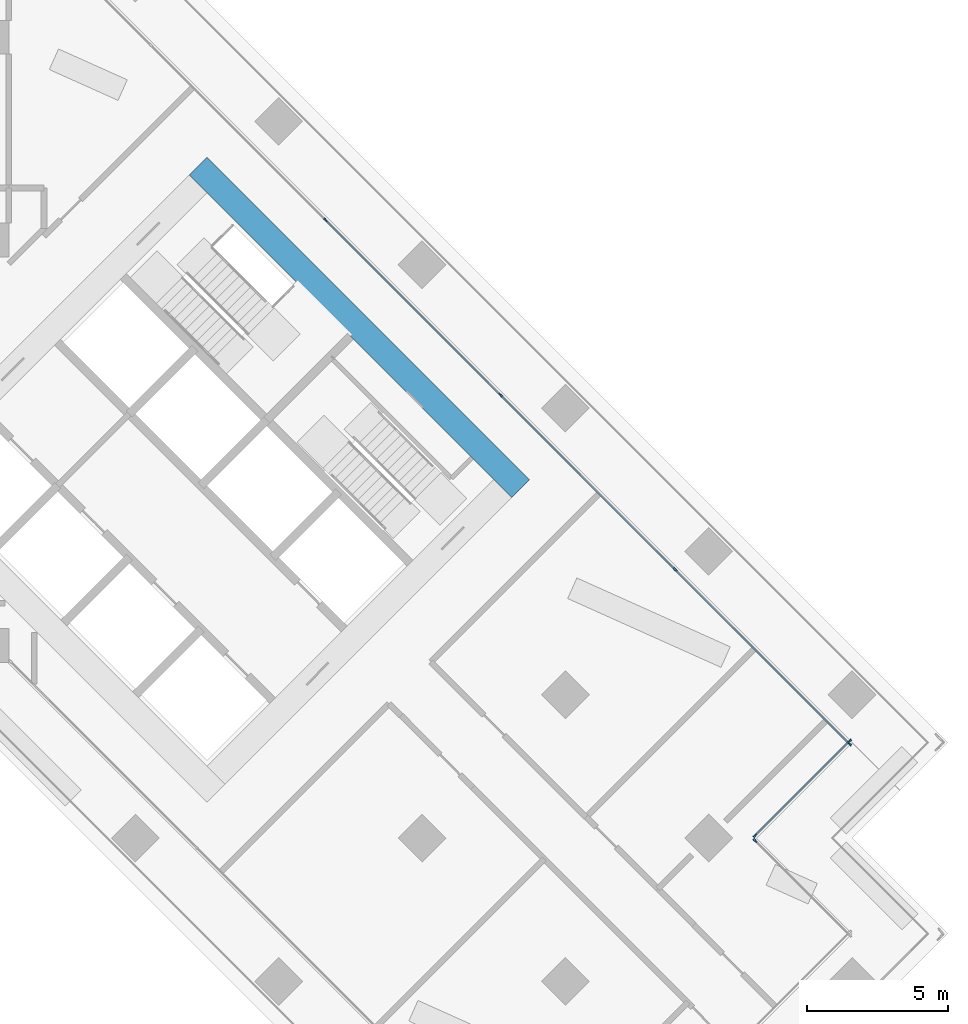
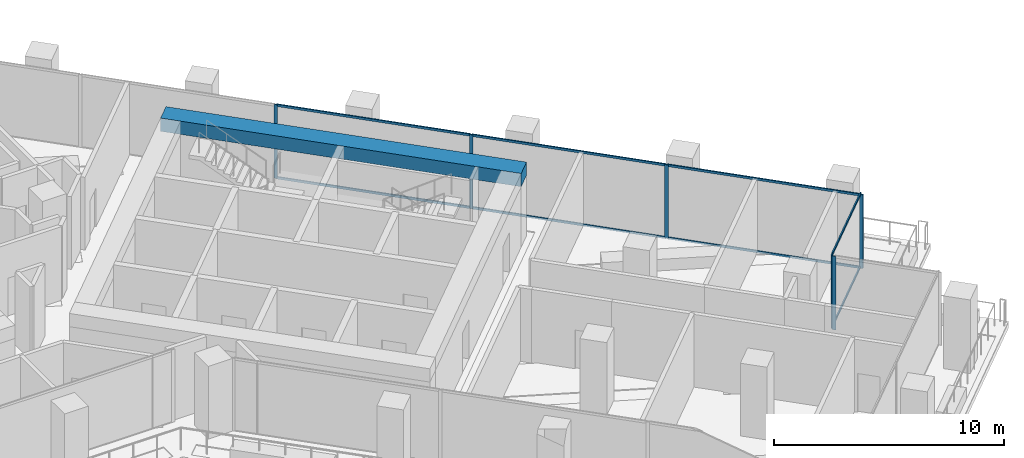
# One storey, part 9 of 24: 15 members, 1 beam, 3 elements without a shape of their own.
"""IFC4 building model written with IfcOpenShell, lengths in metres."""

from ifc_helpers import new_model, si_unit, direction, frame, origin, origin_2d, place, context, subcontext, project, spatial, rectangle, extrude, material, material_profile, profile_set, type_object, element, aggregate, save


model = new_model("IFC4")

# Units and contexts
model_context = context("Model", 3, precision=1e-05, world=origin(), true_north=direction((0.0, 1.0)))
body_context = subcontext(model_context, "Body", "Model", "MODEL_VIEW")
ifc_project = project(units=[si_unit("LENGTHUNIT", "METRE"), si_unit("AREAUNIT", "SQUARE_METRE"), si_unit("VOLUMEUNIT", "CUBIC_METRE"), si_unit("PLANEANGLEUNIT", "RADIAN"), si_unit("MASSUNIT", "GRAM", prefix="KILO")], contexts=[model_context])

# Site, building, storey
site_placement = place(None, origin())
site = spatial("IfcSite", under=ifc_project, at=site_placement, CompositionType="ELEMENT")
building_placement = place(site_placement, origin())
building = spatial("IfcBuilding", under=site, at=building_placement, Name="Windrow Commons", CompositionType="ELEMENT")
storey_placement = place(building_placement, frame((0.0, 0.0, 77.0)))
storey = spatial("IfcBuildingStorey", under=building, at=storey_placement, Name="L20", CompositionType="ELEMENT", Elevation=77.0)

# Curtain wall, member
ifc_material_1 = material(Name="Clear laminated glass in Aluminium 6063-T6 anodised frame", Category="aluminium")
curtain_wall_type = type_object("IfcCurtainWallType", Name="Curtain wall CW2 sky lounge", PredefinedType="USERDEFINED", material=ifc_material_1)
placement = place(storey_placement, origin())
curtain_wall_1 = element("IfcCurtainWall", 1, at=placement, inside=storey, type_object=curtain_wall_type, Name="Curtain wall CW2 L20 1", ObjectType="UNITISED", PredefinedType="USERDEFINED")
ifc_material_2 = material(Name="Aluminium 6063-T6", Category="aluminium")
ifc_material_profile_1 = material_profile(ifc_material_2, rectangle(XDim=0.06, YDim=0.16, at=origin_2d()))
ifc_profile_set_1 = profile_set([ifc_material_profile_1], Name="Aluminium 6063-T6")
member_type_1 = type_object("IfcMemberType", Name="CW2 mullion 60x160", PredefinedType="MULLION", material=ifc_profile_set_1)
member_1_placement = place(storey_placement, frame((106.3034, 36.2699, 0.0), z_axis=(0.0, 0.0, 1.0), x_axis=(-0.7071067812, -0.7071067812, 0.0)))
member_1 = element("IfcMember", 2, at=member_1_placement, type_object=member_type_1, Name="CW2 mullion 2", PredefinedType="MULLION", context=body_context, shape_type="SweptSolid", body=[
    extrude(rectangle(XDim=0.06, YDim=0.16, at=origin_2d()), origin(), (0.0, 0.0, 1.0), 3.9),
])
aggregate(curtain_wall_1, [member_1])

# Curtain wall, members
curtain_wall_2 = element("IfcCurtainWall", 3, at=placement, inside=storey, type_object=curtain_wall_type, Name="Curtain wall CW2 L20 2", ObjectType="UNITISED", PredefinedType="USERDEFINED")
member_2_placement = place(storey_placement, frame((106.3034, 36.4537, 0.0), z_axis=(0.0, 0.0, 1.0), x_axis=(-0.7071067812, 0.7071067812, 0.0)))
member_2 = element("IfcMember", 4, at=member_2_placement, type_object=member_type_1, Name="CW2 mullion 1", PredefinedType="MULLION", context=body_context, shape_type="SweptSolid", body=[
    extrude(rectangle(XDim=0.06, YDim=0.16, at=origin_2d()), origin(), (0.0, 0.0, 1.0), 3.9),
])
member_3_placement = place(storey_placement, frame((109.6551, 39.8054, 0.0), z_axis=(0.0, 0.0, 1.0), x_axis=(-0.7071067812, 0.7071067812, 0.0)))
member_3 = element("IfcMember", 5, at=member_3_placement, type_object=member_type_1, Name="CW2 mullion 2", PredefinedType="MULLION", context=body_context, shape_type="SweptSolid", body=[
    extrude(rectangle(XDim=0.06, YDim=0.16, at=origin_2d()), origin(), (0.0, 0.0, 1.0), 3.9),
])

curtain_wall_3 = element("IfcCurtainWall", 6, at=placement, inside=storey, type_object=curtain_wall_type, Name="Curtain wall CW2 L20 3", ObjectType="UNITISED", PredefinedType="USERDEFINED")
member_4_placement = place(storey_placement, frame((109.6551, 39.7064, 0.0), z_axis=(0.0, 0.0, 1.0), x_axis=(-0.7071067812, -0.7071067812, 0.0)))
member_4 = element("IfcMember", 7, at=member_4_placement, type_object=member_type_1, Name="CW2 mullion 1", PredefinedType="MULLION", context=body_context, shape_type="SweptSolid", body=[
    extrude(rectangle(XDim=0.06, YDim=0.16, at=origin_2d()), origin(), (0.0, 0.0, 1.0), 3.9),
])
member_5_placement = place(storey_placement, frame((103.4675, 45.894, 0.0), z_axis=(0.0, 0.0, 1.0), x_axis=(-0.7071067812, -0.7071067812, 0.0)))
member_5 = element("IfcMember", 8, at=member_5_placement, type_object=member_type_1, Name="CW2 mullion 2", PredefinedType="MULLION", context=body_context, shape_type="SweptSolid", body=[
    extrude(rectangle(XDim=0.06, YDim=0.16, at=origin_2d()), origin(), (0.0, 0.0, 1.0), 3.9),
])
member_6_placement = place(storey_placement, frame((97.2586, 52.1028, 0.0), z_axis=(0.0, 0.0, 1.0), x_axis=(-0.7071067812, -0.7071067812, 0.0)))
member_6 = element("IfcMember", 9, at=member_6_placement, type_object=member_type_1, Name="CW2 mullion 3", PredefinedType="MULLION", context=body_context, shape_type="SweptSolid", body=[
    extrude(rectangle(XDim=0.06, YDim=0.16, at=origin_2d()), origin(), (0.0, 0.0, 1.0), 3.9),
])
member_7_placement = place(storey_placement, frame((91.0498, 58.3116, 0.0), z_axis=(0.0, 0.0, 1.0), x_axis=(-0.7071067812, -0.7071067812, 0.0)))
member_7 = element("IfcMember", 10, at=member_7_placement, type_object=member_type_1, Name="CW2 mullion 4", PredefinedType="MULLION", context=body_context, shape_type="SweptSolid", body=[
    extrude(rectangle(XDim=0.06, YDim=0.16, at=origin_2d()), origin(), (0.0, 0.0, 1.0), 3.9),
])

# Member
ifc_material_3 = material(Name="Aluminium 6063-T6", Category="aluminium")
ifc_material_profile_2 = material_profile(ifc_material_3, rectangle(XDim=0.06, YDim=0.12, at=origin_2d()))
ifc_profile_set_2 = profile_set([ifc_material_profile_2], Name="Aluminium 6063-T6")
member_type_2 = type_object("IfcMemberType", Name="CW2 transom 60x120", PredefinedType="USERDEFINED", material=ifc_profile_set_2)
member_8_placement = place(storey_placement, frame((106.3246, 36.4749, 0.03), z_axis=(0.7071067812, 0.7071067812, 0.0), x_axis=(-0.7071067812, 0.7071067812, 0.0)))
member_8 = element("IfcMember", 11, at=member_8_placement, type_object=member_type_2, Name="CW2 transom 1.1", ObjectType="TRANSOM", PredefinedType="USERDEFINED", context=body_context, shape_type="SweptSolid", body=[
    extrude(rectangle(XDim=0.06, YDim=0.12, at=origin_2d()), origin(), (0.0, 0.0, 1.0), 4.6801),
])

member_9_placement = place(storey_placement, frame((106.3246, 36.4749, 3.87), z_axis=(0.7071067812, 0.7071067812, 0.0), x_axis=(-0.7071067812, 0.7071067812, 0.0)))
member_9 = element("IfcMember", 12, at=member_9_placement, type_object=member_type_2, Name="CW2 transom 1.2", ObjectType="TRANSOM", PredefinedType="USERDEFINED", context=body_context, shape_type="SweptSolid", body=[
    extrude(rectangle(XDim=0.06, YDim=0.12, at=origin_2d()), origin(), (0.0, 0.0, 1.0), 4.6801),
])

aggregate(curtain_wall_2, [member_2, member_3, member_8, member_9])

member_10_placement = place(storey_placement, frame((109.6339, 39.7276, 0.03), z_axis=(-0.7071067812, 0.7071067812, 0.0), x_axis=(-0.7071067812, -0.7071067812, 0.0)))
member_10 = element("IfcMember", 13, at=member_10_placement, type_object=member_type_2, Name="CW2 transom 1.1", ObjectType="TRANSOM", PredefinedType="USERDEFINED", context=body_context, shape_type="SweptSolid", body=[
    extrude(rectangle(XDim=0.06, YDim=0.12, at=origin_2d()), origin(), (0.0, 0.0, 1.0), 8.6906),
])

member_11_placement = place(storey_placement, frame((109.6339, 39.7276, 3.87), z_axis=(-0.7071067812, 0.7071067812, 0.0), x_axis=(-0.7071067812, -0.7071067812, 0.0)))
member_11 = element("IfcMember", 14, at=member_11_placement, type_object=member_type_2, Name="CW2 transom 1.2", ObjectType="TRANSOM", PredefinedType="USERDEFINED", context=body_context, shape_type="SweptSolid", body=[
    extrude(rectangle(XDim=0.06, YDim=0.12, at=origin_2d()), origin(), (0.0, 0.0, 1.0), 8.6906),
])

member_12_placement = place(storey_placement, frame((103.4463, 45.9152, 0.03), z_axis=(-0.7071067812, 0.7071067812, 0.0), x_axis=(-0.7071067812, -0.7071067812, 0.0)))
member_12 = element("IfcMember", 15, at=member_12_placement, type_object=member_type_2, Name="CW2 transom 2.1", ObjectType="TRANSOM", PredefinedType="USERDEFINED", context=body_context, shape_type="SweptSolid", body=[
    extrude(rectangle(XDim=0.06, YDim=0.12, at=origin_2d()), origin(), (0.0, 0.0, 1.0), 8.7206),
])

member_13_placement = place(storey_placement, frame((103.4463, 45.9152, 3.87), z_axis=(-0.7071067812, 0.7071067812, 0.0), x_axis=(-0.7071067812, -0.7071067812, 0.0)))
member_13 = element("IfcMember", 16, at=member_13_placement, type_object=member_type_2, Name="CW2 transom 2.2", ObjectType="TRANSOM", PredefinedType="USERDEFINED", context=body_context, shape_type="SweptSolid", body=[
    extrude(rectangle(XDim=0.06, YDim=0.12, at=origin_2d()), origin(), (0.0, 0.0, 1.0), 8.7206),
])

member_14_placement = place(storey_placement, frame((97.2374, 52.124, 0.03), z_axis=(-0.7071067812, 0.7071067812, 0.0), x_axis=(-0.7071067812, -0.7071067812, 0.0)))
member_14 = element("IfcMember", 17, at=member_14_placement, type_object=member_type_2, Name="CW2 transom 3.1", ObjectType="TRANSOM", PredefinedType="USERDEFINED", context=body_context, shape_type="SweptSolid", body=[
    extrude(rectangle(XDim=0.06, YDim=0.12, at=origin_2d()), origin(), (0.0, 0.0, 1.0), 8.7206),
])

member_15_placement = place(storey_placement, frame((97.2374, 52.124, 3.87), z_axis=(-0.7071067812, 0.7071067812, 0.0), x_axis=(-0.7071067812, -0.7071067812, 0.0)))
member_15 = element("IfcMember", 18, at=member_15_placement, type_object=member_type_2, Name="CW2 transom 3.2", ObjectType="TRANSOM", PredefinedType="USERDEFINED", context=body_context, shape_type="SweptSolid", body=[
    extrude(rectangle(XDim=0.06, YDim=0.12, at=origin_2d()), origin(), (0.0, 0.0, 1.0), 8.7206),
])

aggregate(curtain_wall_3, [member_4, member_5, member_6, member_7, member_10, member_11, member_12, member_13, member_14, member_15])

# Beam
ifc_material_4 = material(Name="Concrete C60/75", Category="concrete")
ifc_material_profile_3 = material_profile(ifc_material_4, rectangle(XDim=0.9, YDim=0.7, at=origin_2d()))
ifc_profile_set_3 = profile_set([ifc_material_profile_3], Name="Concrete C60/75")
beam_type = type_object("IfcBeamType", Name="RC COUPLING BEAM 900x700 C60/75", PredefinedType="LINTEL", material=ifc_profile_set_3)
beam_placement = place(storey_placement, frame((86.5186, 60.2267, 3.55), z_axis=(0.7071036948, -0.7071098676, 0.0), x_axis=(0.7071098676, 0.7071036948, 0.0)))
element("IfcBeam", 19, at=beam_placement, inside=storey, type_object=beam_type, Name="Core B coupling beam outer-N", PredefinedType="LINTEL", context=body_context, shape_type="SweptSolid", body=[
    extrude(rectangle(XDim=0.9, YDim=0.7, at=origin_2d()), origin(), (0.0, 0.0, 1.0), 16.2),
])

save(model, "model.ifc")
